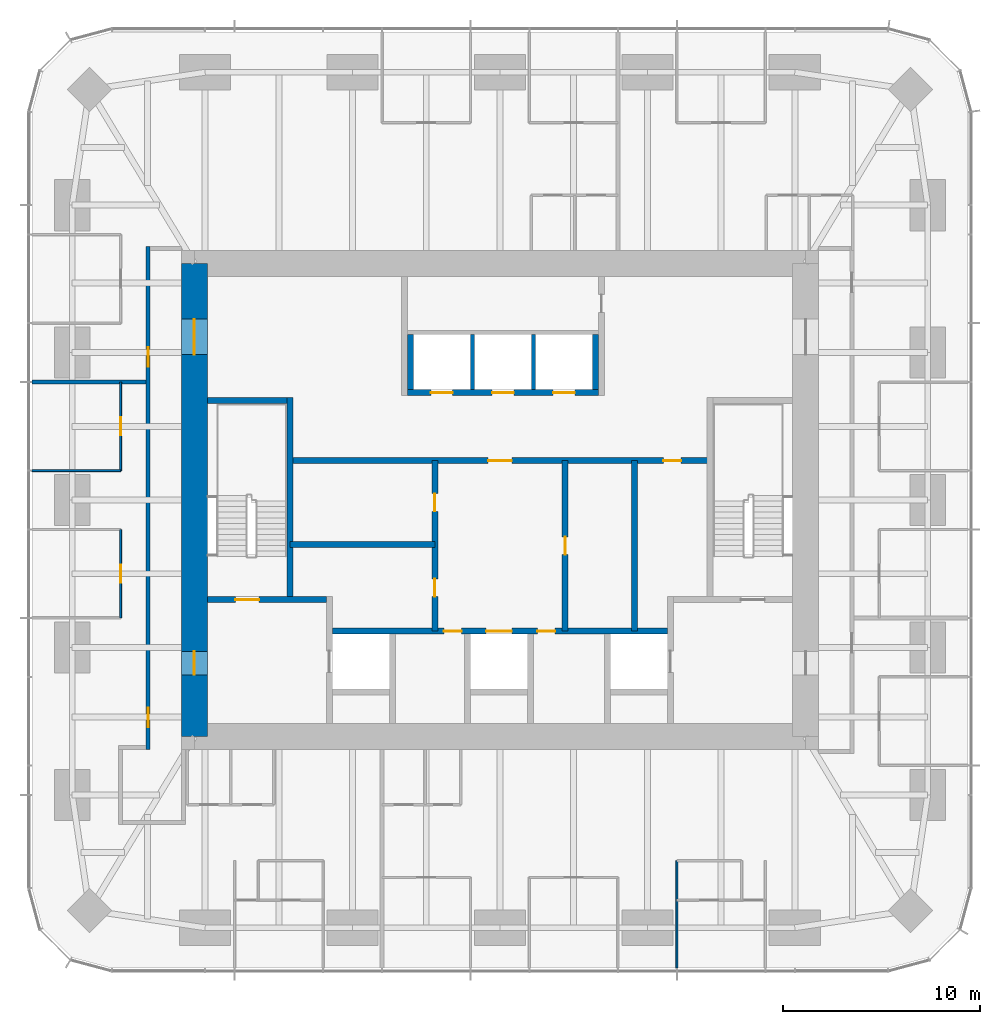
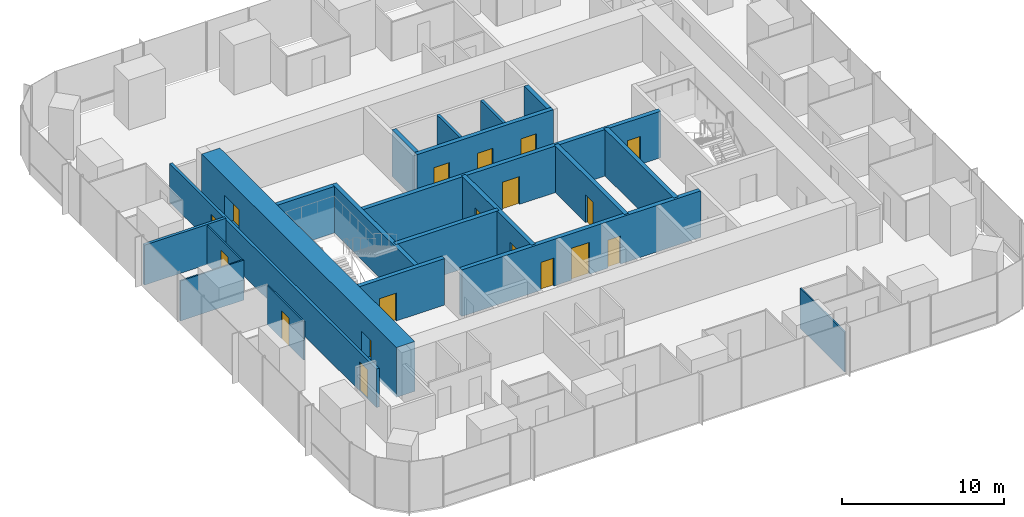
# One storey, part 9 of 12: 21 walls, 18 doors, 18 openings.
"""IFC4 building model written with IfcOpenShell, lengths in metres."""

from ifc_helpers import new_model, si_unit, direction, frame, frame_2d, origin, place, context, subcontext, project, spatial, rectangle, extrude, material, layer, layer_set, type_object, element, fill, save


model = new_model("IFC4")

# Units and contexts
model_context = context("Model", 3, precision=1e-05, world=origin(), true_north=direction((0.0, 1.0)))
body_context = subcontext(model_context, "Body", "Model", "MODEL_VIEW")
ifc_project = project(units=[si_unit("LENGTHUNIT", "METRE"), si_unit("AREAUNIT", "SQUARE_METRE"), si_unit("VOLUMEUNIT", "CUBIC_METRE"), si_unit("PLANEANGLEUNIT", "RADIAN"), si_unit("MASSUNIT", "GRAM", prefix="KILO")], contexts=[model_context])

# Site, building, storey
site_placement = place(None, origin())
site = spatial("IfcSite", under=ifc_project, at=site_placement, CompositionType="ELEMENT")
building_placement = place(site_placement, origin())
building = spatial("IfcBuilding", under=site, at=building_placement, Name="Khuree Lantern Residences", CompositionType="ELEMENT")
storey_placement = place(building_placement, frame((0.0, 0.0, 293.25)))
storey = spatial("IfcBuildingStorey", under=building, at=storey_placement, Name="L73", CompositionType="ELEMENT", Elevation=293.25)

# Wall, openings, doors
ifc_material_1 = material(Name="Dense concrete blockwork", Category="masonry")
ifc_layer_1 = layer(ifc_material_1, 0.300048828125)
ifc_layer_set_1 = layer_set([ifc_layer_1], Name="CORE PARTITION WALL CPW300 EI 120")
wall_type_1 = type_object("IfcWallType", Name="CORE PARTITION WALL CPW300 EI 120", PredefinedType="PARTITIONING", material=ifc_layer_set_1)
wall_1_placement = place(storey_placement, frame((-8.5, -6.64990234375, 0.0), z_axis=(0.0, 0.0, 1.0), x_axis=(1.0, 0.0, 0.0)))
wall_1 = element("IfcWall", 1, at=wall_1_placement, inside=storey, type_object=wall_type_1, Name="L73 CORE WALL FLROW", PredefinedType="PARTITIONING", context=body_context, shape_type="SweptSolid", body=[
    extrude(rectangle(XDim=17.0, YDim=0.300048828125, at=frame_2d((8.5, 0.0))), origin(), (0.0, 0.0, 1.0), 3.5),
])
opening_1_placement = place(wall_1_placement, frame((7.800048828125, 0.0, 0.0)))
opening_1 = element("IfcOpeningElement", 2, at=opening_1_placement, cuts=wall_1, Name="Opening 73-012", PredefinedType="OPENING", context=body_context, shape_type="SweptSolid", body=[
    extrude(rectangle(XDim=1.300048828125, YDim=2.39990234375, at=frame_2d((0.64990234375, 1.199951171875))), frame((0.0, 0.16015625, 0.0), z_axis=(0.0, -1.0, 0.0), x_axis=(1.0, 0.0, 0.0)), (0.0, 0.0, 1.0), 0.320068359375),
])
opening_2_placement = place(wall_1_placement, frame((5.64990234375, 0.0, 0.0)))
opening_2 = element("IfcOpeningElement", 3, at=opening_2_placement, cuts=wall_1, Name="Opening 73-014", PredefinedType="OPENING", context=body_context, shape_type="SweptSolid", body=[
    extrude(rectangle(XDim=0.89990234375, YDim=2.10009765625, at=frame_2d((0.449951171875, 1.050048828125))), frame((0.0, 0.16015625, 0.0), z_axis=(0.0, -1.0, 0.0), x_axis=(1.0, 0.0, 0.0)), (0.0, 0.0, 1.0), 0.320068359375),
])
opening_3_placement = place(wall_1_placement, frame((10.39990234375, 0.0, 0.0)))
opening_3 = element("IfcOpeningElement", 4, at=opening_3_placement, cuts=wall_1, Name="Opening 73-015", PredefinedType="OPENING", context=body_context, shape_type="SweptSolid", body=[
    extrude(rectangle(XDim=0.89990234375, YDim=2.10009765625, at=frame_2d((0.449951171875, 1.050048828125))), frame((0.0, 0.16015625, 0.0), z_axis=(0.0, -1.0, 0.0), x_axis=(1.0, 0.0, 0.0)), (0.0, 0.0, 1.0), 0.320068359375),
])
ifc_material_2 = material(Name="Steel door leaf in steel frame", Category="steel")
door_type_1 = type_object("IfcDoorType", Name="DOOR 900X2100 EI 60", OperationType="SINGLE_SWING_LEFT", PredefinedType="DOOR", material=ifc_material_2)
door_1_placement = place(opening_2_placement, origin())
door_1 = element("IfcDoor", 5, at=door_1_placement, inside=storey, type_object=door_type_1, Name="Refuse chute room door 73-014", OperationType="SINGLE_SWING_LEFT", OverallHeight=2.10009765625, OverallWidth=0.89990234375, PredefinedType="DOOR", context=body_context, shape_type="SweptSolid", body=[
    extrude(rectangle(XDim=0.89990234375, YDim=2.10009765625, at=frame_2d((0.449951171875, 1.050048828125))), frame((0.0, 0.02490234375, 0.0), z_axis=(0.0, -1.0, 0.0), x_axis=(1.0, 0.0, 0.0)), (0.0, 0.0, 1.0), 0.050048828125),
])
fill(opening_2, door_1)
door_type_2 = type_object("IfcDoorType", Name="DOOR 900X2100 EI 60 RIGHT HAND", OperationType="SINGLE_SWING_RIGHT", PredefinedType="DOOR", material=ifc_material_2)
door_2_placement = place(opening_3_placement, origin())
door_2 = element("IfcDoor", 6, at=door_2_placement, inside=storey, type_object=door_type_2, Name="Electrical and plumbing riser door 73-015", OperationType="SINGLE_SWING_RIGHT", OverallHeight=2.10009765625, OverallWidth=0.89990234375, PredefinedType="DOOR", context=body_context, shape_type="SweptSolid", body=[
    extrude(rectangle(XDim=0.89990234375, YDim=2.10009765625, at=frame_2d((0.449951171875, 1.050048828125))), frame((0.0, 0.02490234375, 0.0), z_axis=(0.0, -1.0, 0.0), x_axis=(1.0, 0.0, 0.0)), (0.0, 0.0, 1.0), 0.050048828125),
])
fill(opening_3, door_2)
ifc_material_3 = material(Name="Stainless steel lift landing door", Category="steel")
door_type_3 = type_object("IfcDoorType", Name="LIFT LANDING DOOR 1300X2400 E 60", OperationType="DOUBLE_DOOR_SLIDING", PredefinedType="DOOR", material=ifc_material_3)
door_3_placement = place(opening_1_placement, origin())
door_3 = element("IfcDoor", 7, at=door_3_placement, inside=storey, type_object=door_type_3, Name="Landing door SL1 73-012", OperationType="DOUBLE_DOOR_SLIDING", OverallHeight=2.39990234375, OverallWidth=1.300048828125, PredefinedType="DOOR", context=body_context, shape_type="SweptSolid", body=[
    extrude(rectangle(XDim=1.300048828125, YDim=2.39990234375, at=frame_2d((0.64990234375, 1.199951171875))), frame((0.0, 0.02490234375, 0.0), z_axis=(0.0, -1.0, 0.0), x_axis=(1.0, 0.0, 0.0)), (0.0, 0.0, 1.0), 0.050048828125),
])
fill(opening_1, door_3)

wall_2_placement = place(storey_placement, frame((-4.699951171875, 5.449951171875, 0.0), z_axis=(0.0, 0.0, 1.0), x_axis=(1.0, 0.0, 0.0)))
wall_2 = element("IfcWall", 8, at=wall_2_placement, inside=storey, type_object=wall_type_1, Name="L73 CORE WALL PHS", PredefinedType="PARTITIONING", context=body_context, shape_type="SweptSolid", body=[
    extrude(rectangle(XDim=9.699951171875, YDim=0.300048828125, at=frame_2d((4.85009765625, 0.0))), origin(), (0.0, 0.0, 1.0), 3.5),
])
opening_4_placement = place(wall_2_placement, frame((1.199951171875, 0.0, 0.0)))
opening_4 = element("IfcOpeningElement", 9, at=opening_4_placement, cuts=wall_2, Name="Opening 73-009", PredefinedType="OPENING", context=body_context, shape_type="SweptSolid", body=[
    extrude(rectangle(XDim=1.10009765625, YDim=2.10009765625, at=frame_2d((0.550048828125, 1.050048828125))), frame((0.0, 0.16015625, 0.0), z_axis=(0.0, -1.0, 0.0), x_axis=(1.0, 0.0, 0.0)), (0.0, 0.0, 1.0), 0.320068359375),
])
opening_5_placement = place(wall_2_placement, frame((4.300048828125, 0.0, 0.0)))
opening_5 = element("IfcOpeningElement", 10, at=opening_5_placement, cuts=wall_2, Name="Opening 73-010", PredefinedType="OPENING", context=body_context, shape_type="SweptSolid", body=[
    extrude(rectangle(XDim=1.10009765625, YDim=2.10009765625, at=frame_2d((0.550048828125, 1.050048828125))), frame((0.0, 0.16015625, 0.0), z_axis=(0.0, -1.0, 0.0), x_axis=(1.0, 0.0, 0.0)), (0.0, 0.0, 1.0), 0.320068359375),
])
opening_6_placement = place(wall_2_placement, frame((7.39990234375, 0.0, 0.0)))
opening_6 = element("IfcOpeningElement", 11, at=opening_6_placement, cuts=wall_2, Name="Opening 73-011", PredefinedType="OPENING", context=body_context, shape_type="SweptSolid", body=[
    extrude(rectangle(XDim=1.10009765625, YDim=2.10009765625, at=frame_2d((0.550048828125, 1.050048828125))), frame((0.0, 0.16015625, 0.0), z_axis=(0.0, -1.0, 0.0), x_axis=(1.0, 0.0, 0.0)), (0.0, 0.0, 1.0), 0.320068359375),
])
door_type_4 = type_object("IfcDoorType", Name="LIFT LANDING DOOR 1100X2100 E 60", OperationType="DOUBLE_DOOR_SLIDING", PredefinedType="DOOR", material=ifc_material_3)
door_4_placement = place(opening_4_placement, origin())
door_4 = element("IfcDoor", 12, at=door_4_placement, inside=storey, type_object=door_type_4, Name="Landing door PH1 73-009", OperationType="DOUBLE_DOOR_SLIDING", OverallHeight=2.10009765625, OverallWidth=1.10009765625, PredefinedType="DOOR", context=body_context, shape_type="SweptSolid", body=[
    extrude(rectangle(XDim=1.10009765625, YDim=2.10009765625, at=frame_2d((0.550048828125, 1.050048828125))), frame((0.0, 0.02490234375, 0.0), z_axis=(0.0, -1.0, 0.0), x_axis=(1.0, 0.0, 0.0)), (0.0, 0.0, 1.0), 0.050048828125),
])
fill(opening_4, door_4)
door_5_placement = place(opening_5_placement, origin())
door_5 = element("IfcDoor", 13, at=door_5_placement, inside=storey, type_object=door_type_4, Name="Landing door PH2 73-010", OperationType="DOUBLE_DOOR_SLIDING", OverallHeight=2.10009765625, OverallWidth=1.10009765625, PredefinedType="DOOR", context=body_context, shape_type="SweptSolid", body=[
    extrude(rectangle(XDim=1.10009765625, YDim=2.10009765625, at=frame_2d((0.550048828125, 1.050048828125))), frame((0.0, 0.02490234375, 0.0), z_axis=(0.0, -1.0, 0.0), x_axis=(1.0, 0.0, 0.0)), (0.0, 0.0, 1.0), 0.050048828125),
])
fill(opening_5, door_5)
door_6_placement = place(opening_6_placement, origin())
door_6 = element("IfcDoor", 14, at=door_6_placement, inside=storey, type_object=door_type_4, Name="Landing door PH3 73-011", OperationType="DOUBLE_DOOR_SLIDING", OverallHeight=2.10009765625, OverallWidth=1.10009765625, PredefinedType="DOOR", context=body_context, shape_type="SweptSolid", body=[
    extrude(rectangle(XDim=1.10009765625, YDim=2.10009765625, at=frame_2d((0.550048828125, 1.050048828125))), frame((0.0, 0.02490234375, 0.0), z_axis=(0.0, -1.0, 0.0), x_axis=(1.0, 0.0, 0.0)), (0.0, 0.0, 1.0), 0.050048828125),
])
fill(opening_6, door_6)

# Walls
for number, where, z_axis, x_axis, name in (
    (15, (-4.550048828125, 5.60009765625, 0.0), (0.0, 0.0, 1.0), (0.0, 1.0, 0.0), "L73 CORE WALL PHW"),
    (16, (4.85009765625, 5.60009765625, 0.0), (0.0, 0.0, 1.0), (0.0, 1.0, 0.0), "L73 CORE WALL PHE"),
):
    element("IfcWall", number, at=place(storey_placement, frame(where, z_axis=z_axis, x_axis=x_axis)), inside=storey, type_object=wall_type_1, Name=name, PredefinedType="PARTITIONING", context=body_context, shape_type="SweptSolid", body=[
        extrude(rectangle(XDim=2.7998046875, YDim=0.300048828125, at=frame_2d((1.39990234375, 0.0))), origin(), (0.0, 0.0, 1.0), 3.5),
    ])

# Wall, openings, doors
wall_3_placement = place(storey_placement, frame((-10.64990234375, 2.0, 0.0), z_axis=(0.0, 0.0, 1.0), x_axis=(1.0, 0.0, 0.0)))
wall_3 = element("IfcWall", 17, at=wall_3_placement, inside=storey, type_object=wall_type_1, Name="L73 CORE WALL LLS", PredefinedType="PARTITIONING", context=body_context, shape_type="SweptSolid", body=[
    extrude(rectangle(XDim=21.2998046875, YDim=0.300048828125, at=frame_2d((10.64990234375, 0.0))), origin(), (0.0, 0.0, 1.0), 3.5),
])
opening_7_placement = place(wall_3_placement, frame((10.050048828125, 0.0, 0.0)))
opening_7 = element("IfcOpeningElement", 18, at=opening_7_placement, cuts=wall_3, Name="Opening 73-013", PredefinedType="OPENING", context=body_context, shape_type="SweptSolid", body=[
    extrude(rectangle(XDim=1.199951171875, YDim=2.10009765625, at=frame_2d((0.60009765625, 1.050048828125))), frame((0.0, 0.16015625, 0.0), z_axis=(0.0, -1.0, 0.0), x_axis=(1.0, 0.0, 0.0)), (0.0, 0.0, 1.0), 0.320068359375),
])
opening_8_placement = place(wall_3_placement, frame((18.94189453125, 0.0, 0.0)))
opening_8 = element("IfcOpeningElement", 19, at=opening_8_placement, cuts=wall_3, Name="Opening 73-019", PredefinedType="OPENING", context=body_context, shape_type="SweptSolid", body=[
    extrude(rectangle(XDim=0.89990234375, YDim=2.10009765625, at=frame_2d((0.449951171875, 1.050048828125))), frame((0.0, 0.16015625, 0.0), z_axis=(0.0, -1.0, 0.0), x_axis=(1.0, 0.0, 0.0)), (0.0, 0.0, 1.0), 0.320068359375),
])
door_type_5 = type_object("IfcDoorType", Name="DOOR 1200X2100 EI 60", OperationType="SINGLE_SWING_LEFT", PredefinedType="DOOR", material=ifc_material_2)
door_7_placement = place(opening_7_placement, origin())
door_7 = element("IfcDoor", 20, at=door_7_placement, inside=storey, type_object=door_type_5, Name="Service lift lobby door 73-013", OperationType="SINGLE_SWING_LEFT", OverallHeight=2.10009765625, OverallWidth=1.199951171875, PredefinedType="DOOR", context=body_context, shape_type="SweptSolid", body=[
    extrude(rectangle(XDim=1.199951171875, YDim=2.10009765625, at=frame_2d((0.60009765625, 1.050048828125))), frame((0.0, 0.02490234375, 0.0), z_axis=(0.0, -1.0, 0.0), x_axis=(1.0, 0.0, 0.0)), (0.0, 0.0, 1.0), 0.050048828125),
])
fill(opening_7, door_7)
ifc_material_4 = material(Name="Timber door leaf in hardwood frame", Category="wood")
door_type_6 = type_object("IfcDoorType", Name="DOOR 900X2100 RIGHT HAND", OperationType="SINGLE_SWING_RIGHT", PredefinedType="DOOR", material=ifc_material_4)
door_8_placement = place(opening_8_placement, origin())
door_8 = element("IfcDoor", 21, at=door_8_placement, inside=storey, type_object=door_type_6, Name="Residents' store door 73-019", OperationType="SINGLE_SWING_RIGHT", OverallHeight=2.10009765625, OverallWidth=0.89990234375, PredefinedType="DOOR", context=body_context, shape_type="SweptSolid", body=[
    extrude(rectangle(XDim=0.89990234375, YDim=2.10009765625, at=frame_2d((0.449951171875, 1.050048828125))), frame((0.0, 0.02490234375, 0.0), z_axis=(0.0, -1.0, 0.0), x_axis=(1.0, 0.0, 0.0)), (0.0, 0.0, 1.0), 0.050048828125),
])
fill(opening_8, door_8)

wall_4_placement = place(storey_placement, frame((-3.300048828125, -6.64990234375, 0.0), z_axis=(0.0, 0.0, 1.0), x_axis=(0.0, 1.0, 0.0)))
wall_4 = element("IfcWall", 22, at=wall_4_placement, inside=storey, type_object=wall_type_1, Name="L73 CORE WALL SVW", PredefinedType="PARTITIONING", context=body_context, shape_type="SweptSolid", body=[
    extrude(rectangle(XDim=8.64990234375, YDim=0.300048828125, at=frame_2d((4.324951171875, 0.0))), origin(), (0.0, 0.0, 1.0), 3.5),
])
opening_9_placement = place(wall_4_placement, frame((1.75, 0.0, 0.0)))
opening_9 = element("IfcOpeningElement", 23, at=opening_9_placement, cuts=wall_4, Name="Opening 73-016", PredefinedType="OPENING", context=body_context, shape_type="SweptSolid", body=[
    extrude(rectangle(XDim=0.89990234375, YDim=2.10009765625, at=frame_2d((0.449951171875, 1.050048828125))), frame((0.0, 0.16015625, 0.0), z_axis=(0.0, -1.0, 0.0), x_axis=(1.0, 0.0, 0.0)), (0.0, 0.0, 1.0), 0.320068359375),
])
opening_10_placement = place(wall_4_placement, frame((6.074951171875, 0.0, 0.0)))
opening_10 = element("IfcOpeningElement", 24, at=opening_10_placement, cuts=wall_4, Name="Opening 73-017", PredefinedType="OPENING", context=body_context, shape_type="SweptSolid", body=[
    extrude(rectangle(XDim=0.89990234375, YDim=2.10009765625, at=frame_2d((0.449951171875, 1.050048828125))), frame((0.0, 0.16015625, 0.0), z_axis=(0.0, -1.0, 0.0), x_axis=(1.0, 0.0, 0.0)), (0.0, 0.0, 1.0), 0.320068359375),
])
door_type_7 = type_object("IfcDoorType", Name="DOOR 900X2100", OperationType="SINGLE_SWING_LEFT", PredefinedType="DOOR", material=ifc_material_4)
door_9_placement = place(opening_9_placement, origin())
door_9 = element("IfcDoor", 25, at=door_9_placement, inside=storey, type_object=door_type_7, Name="Residents' store door 73-016", OperationType="SINGLE_SWING_LEFT", OverallHeight=2.10009765625, OverallWidth=0.89990234375, PredefinedType="DOOR", context=body_context, shape_type="SweptSolid", body=[
    extrude(rectangle(XDim=0.89990234375, YDim=2.10009765625, at=frame_2d((0.449951171875, 1.050048828125))), frame((0.0, 0.02490234375, 0.0), z_axis=(0.0, -1.0, 0.0), x_axis=(1.0, 0.0, 0.0)), (0.0, 0.0, 1.0), 0.050048828125),
])
fill(opening_9, door_9)
door_10_placement = place(opening_10_placement, origin())
door_10 = element("IfcDoor", 26, at=door_10_placement, inside=storey, type_object=door_type_7, Name="Residents' store door 73-017", OperationType="SINGLE_SWING_LEFT", OverallHeight=2.10009765625, OverallWidth=0.89990234375, PredefinedType="DOOR", context=body_context, shape_type="SweptSolid", body=[
    extrude(rectangle(XDim=0.89990234375, YDim=2.10009765625, at=frame_2d((0.449951171875, 1.050048828125))), frame((0.0, 0.02490234375, 0.0), z_axis=(0.0, -1.0, 0.0), x_axis=(1.0, 0.0, 0.0)), (0.0, 0.0, 1.0), 0.050048828125),
])
fill(opening_10, door_10)

# Wall, opening, door
wall_5_placement = place(storey_placement, frame((3.300048828125, -6.64990234375, 0.0), z_axis=(0.0, 0.0, 1.0), x_axis=(0.0, 1.0, 0.0)))
wall_5 = element("IfcWall", 27, at=wall_5_placement, inside=storey, type_object=wall_type_1, Name="L73 CORE WALL SVE", PredefinedType="PARTITIONING", context=body_context, shape_type="SweptSolid", body=[
    extrude(rectangle(XDim=8.64990234375, YDim=0.300048828125, at=frame_2d((4.324951171875, 0.0))), origin(), (0.0, 0.0, 1.0), 3.5),
])
opening_11_placement = place(wall_5_placement, frame((3.875, 0.0, 0.0)))
opening_11 = element("IfcOpeningElement", 28, at=opening_11_placement, cuts=wall_5, Name="Opening 73-018", PredefinedType="OPENING", context=body_context, shape_type="SweptSolid", body=[
    extrude(rectangle(XDim=0.89990234375, YDim=2.10009765625, at=frame_2d((0.449951171875, 1.050048828125))), frame((0.0, 0.16015625, 0.0), z_axis=(0.0, -1.0, 0.0), x_axis=(1.0, 0.0, 0.0)), (0.0, 0.0, 1.0), 0.320068359375),
])
door_11_placement = place(opening_11_placement, origin())
door_11 = element("IfcDoor", 29, at=door_11_placement, inside=storey, type_object=door_type_7, Name="Residents' store door 73-018", OperationType="SINGLE_SWING_LEFT", OverallHeight=2.10009765625, OverallWidth=0.89990234375, PredefinedType="DOOR", context=body_context, shape_type="SweptSolid", body=[
    extrude(rectangle(XDim=0.89990234375, YDim=2.10009765625, at=frame_2d((0.449951171875, 1.050048828125))), frame((0.0, 0.02490234375, 0.0), z_axis=(0.0, -1.0, 0.0), x_axis=(1.0, 0.0, 0.0)), (0.0, 0.0, 1.0), 0.050048828125),
])
fill(opening_11, door_11)

# Walls
wall_6_placement = place(storey_placement, frame((-10.64990234375, -2.25, 0.0), z_axis=(0.0, 0.0, 1.0), x_axis=(1.0, 0.0, 0.0)))
element("IfcWall", 30, at=wall_6_placement, inside=storey, type_object=wall_type_1, Name="L73 CORE WALL WX", PredefinedType="PARTITIONING", context=body_context, shape_type="SweptSolid", body=[
    extrude(rectangle(XDim=7.349853515625, YDim=0.300048828125, at=frame_2d((3.6748046875, 0.0))), origin(), (0.0, 0.0, 1.0), 3.5),
])
wall_7_placement = place(storey_placement, frame((6.833984375, -6.64990234375, 0.0), z_axis=(0.0, 0.0, 1.0), x_axis=(0.0, 1.0, 0.0)))
element("IfcWall", 31, at=wall_7_placement, inside=storey, type_object=wall_type_1, Name="L73 CORE WALL EV", PredefinedType="PARTITIONING", context=body_context, shape_type="SweptSolid", body=[
    extrude(rectangle(XDim=8.64990234375, YDim=0.300048828125, at=frame_2d((4.324951171875, 0.0))), origin(), (0.0, 0.0, 1.0), 3.5),
])

# Wall, openings, doors
ifc_material_5 = material(Name="Gypsum board on steel studs", Category="steel")
ifc_layer_2 = layer(ifc_material_5, 0.199951171875)
ifc_layer_set_2 = layer_set([ifc_layer_2], Name="CORRIDOR WALL CRW200 EI 60")
wall_type_2 = type_object("IfcWallType", Name="CORRIDOR WALL CRW200 EI 60", PredefinedType="PARTITIONING", material=ifc_layer_set_2)
wall_8_placement = place(storey_placement, frame((-17.85009765625, 12.85009765625, 0.0), z_axis=(0.0, 0.0, 1.0), x_axis=(0.0, -1.0, 0.0)))
wall_8 = element("IfcWall", 32, at=wall_8_placement, inside=storey, type_object=wall_type_2, Name="L73 CORRIDOR WALL WEST 1", PredefinedType="PARTITIONING", context=body_context, shape_type="SweptSolid", body=[
    extrude(rectangle(XDim=25.5, YDim=0.199951171875, at=frame_2d((12.75, 0.0))), origin(), (0.0, 0.0, 1.0), 2.89990234375),
])
opening_12_placement = place(wall_8_placement, frame((5.10009765625, 0.0, 0.0)))
opening_12 = element("IfcOpeningElement", 33, at=opening_12_placement, cuts=wall_8, Name="Opening 73-032", PredefinedType="OPENING", context=body_context, shape_type="SweptSolid", body=[
    extrude(rectangle(XDim=1.0, YDim=2.199951171875, at=frame_2d((0.5, 1.10009765625))), frame((0.0, 0.10986328125, 0.0), z_axis=(0.0, -1.0, 0.0), x_axis=(1.0, 0.0, 0.0)), (0.0, 0.0, 1.0), 0.219970703125),
])
opening_13_placement = place(wall_8_placement, frame((23.385986328125, 0.0, 0.0)))
opening_13 = element("IfcOpeningElement", 34, at=opening_13_placement, cuts=wall_8, Name="Opening 73-039", PredefinedType="OPENING", context=body_context, shape_type="SweptSolid", body=[
    extrude(rectangle(XDim=1.0, YDim=2.199951171875, at=frame_2d((0.5, 1.10009765625))), frame((0.0, 0.10986328125, 0.0), z_axis=(0.0, -1.0, 0.0), x_axis=(1.0, 0.0, 0.0)), (0.0, 0.0, 1.0), 0.219970703125),
])
door_type_8 = type_object("IfcDoorType", Name="APARTMENT ENTRANCE DOOR 1000X2200 EI 30S", OperationType="SINGLE_SWING_LEFT", PredefinedType="DOOR", material=ifc_material_4)
door_12_placement = place(opening_12_placement, origin())
door_12 = element("IfcDoor", 35, at=door_12_placement, inside=storey, type_object=door_type_8, Name="Apartment 02 entrance door 73-032", OperationType="SINGLE_SWING_LEFT", OverallHeight=2.199951171875, OverallWidth=1.0, PredefinedType="DOOR", context=body_context, shape_type="SweptSolid", body=[
    extrude(rectangle(XDim=1.0, YDim=2.199951171875, at=frame_2d((0.5, 1.10009765625))), frame((0.0, 0.02490234375, 0.0), z_axis=(0.0, -1.0, 0.0), x_axis=(1.0, 0.0, 0.0)), (0.0, 0.0, 1.0), 0.050048828125),
])
fill(opening_12, door_12)
door_13_placement = place(opening_13_placement, origin())
door_13 = element("IfcDoor", 36, at=door_13_placement, inside=storey, type_object=door_type_8, Name="Apartment 03 entrance door 73-039", OperationType="SINGLE_SWING_LEFT", OverallHeight=2.199951171875, OverallWidth=1.0, PredefinedType="DOOR", context=body_context, shape_type="SweptSolid", body=[
    extrude(rectangle(XDim=1.0, YDim=2.199951171875, at=frame_2d((0.5, 1.10009765625))), frame((0.0, 0.02490234375, 0.0), z_axis=(0.0, -1.0, 0.0), x_axis=(1.0, 0.0, 0.0)), (0.0, 0.0, 1.0), 0.050048828125),
])
fill(opening_13, door_13)

ifc_material_6 = material(Name="Concrete C50/60", Category="concrete")
ifc_layer_3 = layer(ifc_material_6, 1.300048828125)
ifc_layer_set_3 = layer_set([ifc_layer_3], Name="CW1300-C50 CORE WALL C50 1300")
wall_type_3 = type_object("IfcWallType", Name="CW1300-C50 CORE WALL C50 1300", PredefinedType="SHEAR", material=ifc_layer_set_3)
wall_9_placement = place(storey_placement, frame((-15.5, -12.0, -0.25), z_axis=(0.0, 0.0, 1.0), x_axis=(0.0, 1.0, 0.0)))
wall_9 = element("IfcWall", 37, at=wall_9_placement, inside=storey, type_object=wall_type_3, Name="Core wall W", PredefinedType="SHEAR", context=body_context, shape_type="SweptSolid", body=[
    extrude(rectangle(XDim=24.0, YDim=1.300048828125, at=frame_2d((12.0, 0.0))), origin(), (0.0, 0.0, 1.0), 3.75),
])
opening_14_placement = place(wall_9_placement, frame((3.125, 0.0, 0.25)))
opening_14 = element("IfcOpeningElement", 38, at=opening_14_placement, cuts=wall_9, Name="Opening 73-002", PredefinedType="OPENING", context=body_context, shape_type="SweptSolid", body=[
    extrude(rectangle(XDim=1.199951171875, YDim=2.10009765625, at=frame_2d((0.60009765625, 1.050048828125))), frame((0.0, 0.66015625, 0.0), z_axis=(0.0, -1.0, 0.0), x_axis=(1.0, 0.0, 0.0)), (0.0, 0.0, 1.0), 1.320068359375),
])
opening_15_placement = place(wall_9_placement, frame((19.375, 0.0, 0.25)))
opening_15 = element("IfcOpeningElement", 39, at=opening_15_placement, cuts=wall_9, Name="Opening 73-003", PredefinedType="OPENING", context=body_context, shape_type="SweptSolid", body=[
    extrude(rectangle(XDim=1.800048828125, YDim=2.10009765625, at=frame_2d((0.89990234375, 1.050048828125))), frame((0.0, 0.66015625, 0.0), z_axis=(0.0, -1.0, 0.0), x_axis=(1.0, 0.0, 0.0)), (0.0, 0.0, 1.0), 1.320068359375),
])
door_type_9 = type_object("IfcDoorType", Name="LOBBY DOOR 1200X2100 EI 120", OperationType="SINGLE_SWING_LEFT", PredefinedType="DOOR", material=ifc_material_2)
door_14_placement = place(opening_14_placement, origin())
door_14 = element("IfcDoor", 40, at=door_14_placement, inside=storey, type_object=door_type_9, Name="Firefighting lobby door 73-002", OperationType="SINGLE_SWING_LEFT", OverallHeight=2.10009765625, OverallWidth=1.199951171875, PredefinedType="DOOR", context=body_context, shape_type="SweptSolid", body=[
    extrude(rectangle(XDim=1.199951171875, YDim=2.10009765625, at=frame_2d((0.60009765625, 1.050048828125))), frame((0.0, 0.02490234375, 0.0), z_axis=(0.0, -1.0, 0.0), x_axis=(1.0, 0.0, 0.0)), (0.0, 0.0, 1.0), 0.050048828125),
])
fill(opening_14, door_14)
door_type_10 = type_object("IfcDoorType", Name="LOBBY DOUBLE DOOR 1800X2100 EI 60", OperationType="DOUBLE_DOOR_SINGLE_SWING", PredefinedType="DOOR", material=ifc_material_2)
door_15_placement = place(opening_15_placement, origin())
door_15 = element("IfcDoor", 41, at=door_15_placement, inside=storey, type_object=door_type_10, Name="Lift lobby door 73-003", OperationType="DOUBLE_DOOR_SINGLE_SWING", OverallHeight=2.10009765625, OverallWidth=1.800048828125, PredefinedType="DOOR", context=body_context, shape_type="SweptSolid", body=[
    extrude(rectangle(XDim=1.800048828125, YDim=2.10009765625, at=frame_2d((0.89990234375, 1.050048828125))), frame((0.0, 0.02490234375, 0.0), z_axis=(0.0, -1.0, 0.0), x_axis=(1.0, 0.0, 0.0)), (0.0, 0.0, 1.0), 0.050048828125),
])
fill(opening_15, door_15)

# Walls
ifc_layer_4 = layer(ifc_material_5, 0.199951171875)
ifc_layer_set_4 = layer_set([ifc_layer_4], Name="DEMISING WALL DMW200 EI 90")
wall_type_4 = type_object("IfcWallType", Name="DEMISING WALL DMW200 EI 90", PredefinedType="PARTITIONING", material=ifc_layer_set_4)
wall_10_placement = place(storey_placement, frame((-17.949951171875, 5.98388671875, 0.0), z_axis=(0.0, 0.0, 1.0), x_axis=(-1.0, 0.0, 0.0)))
element("IfcWall", 42, at=wall_10_placement, inside=storey, type_object=wall_type_4, Name="L73 DEMISING WALL 03", PredefinedType="PARTITIONING", context=body_context, shape_type="SweptSolid", body=[
    extrude(rectangle(XDim=5.800048828125, YDim=0.199951171875, at=frame_2d((2.89990234375, 0.0))), origin(), (0.0, 0.0, 1.0), 3.010009765625),
])
ifc_layer_5 = layer(ifc_material_5, 0.10009765625)
ifc_layer_set_5 = layer_set([ifc_layer_5], Name="PARTITION PT100")
wall_type_5 = type_object("IfcWallType", Name="PARTITION PT100", PredefinedType="PARTITIONING", material=ifc_layer_set_5)
wall_11_placement = place(storey_placement, frame((-19.25, 1.49609375, 0.0), z_axis=(0.0, 0.0, 1.0), x_axis=(-1.0, 0.0, 0.0)))
element("IfcWall", 43, at=wall_11_placement, inside=storey, type_object=wall_type_5, Name="L73 PARTITION 03", PredefinedType="PARTITIONING", context=body_context, shape_type="SweptSolid", body=[
    extrude(rectangle(XDim=4.5, YDim=0.10009765625, at=frame_2d((2.25, 0.0))), origin(), (0.0, 0.0, 1.0), 3.010009765625),
])
wall_12_placement = place(storey_placement, frame((8.97607421875, -18.29638671875, 0.0), z_axis=(0.0, 0.0, 1.0), x_axis=(0.0, -1.0, 0.0)))
element("IfcWall", 44, at=wall_12_placement, inside=storey, type_object=wall_type_5, Name="L73 PARTITION 04", PredefinedType="PARTITIONING", context=body_context, shape_type="SweptSolid", body=[
    extrude(rectangle(XDim=5.45361328125, YDim=0.10009765625, at=frame_2d((2.726806640625, 0.0))), origin(), (0.0, 0.0, 1.0), 3.010009765625),
])

# Wall, opening, door
wall_13_placement = place(storey_placement, frame((-19.25, 5.98388671875, 0.0), z_axis=(0.0, 0.0, 1.0), x_axis=(0.0, -1.0, 0.0)))
wall_13 = element("IfcWall", 45, at=wall_13_placement, inside=storey, type_object=wall_type_5, Name="L73 PARTITION 03", PredefinedType="PARTITIONING", context=body_context, shape_type="SweptSolid", body=[
    extrude(rectangle(XDim=4.48779296875, YDim=0.10009765625, at=frame_2d((2.243896484375, 0.0))), origin(), (0.0, 0.0, 1.0), 2.909912109375),
])
opening_16_placement = place(wall_13_placement, frame((1.7939453125, 0.0, 0.0)))
opening_16 = element("IfcOpeningElement", 46, at=opening_16_placement, cuts=wall_13, Name="Opening 73-033", PredefinedType="OPENING", context=body_context, shape_type="SweptSolid", body=[
    extrude(rectangle(XDim=0.89990234375, YDim=2.10009765625, at=frame_2d((0.449951171875, 1.050048828125))), frame((0.0, 0.06005859375, 0.0), z_axis=(0.0, -1.0, 0.0), x_axis=(1.0, 0.0, 0.0)), (0.0, 0.0, 1.0), 0.1201171875),
])
door_type_11 = type_object("IfcDoorType", Name="BEDROOM DOOR 900X2100", OperationType="SINGLE_SWING_LEFT", PredefinedType="DOOR", material=ifc_material_4)
door_16_placement = place(opening_16_placement, origin())
door_16 = element("IfcDoor", 47, at=door_16_placement, inside=storey, type_object=door_type_11, Name="Bedroom door 73-033", OperationType="SINGLE_SWING_LEFT", OverallHeight=2.10009765625, OverallWidth=0.89990234375, PredefinedType="DOOR", context=body_context, shape_type="SweptSolid", body=[
    extrude(rectangle(XDim=0.89990234375, YDim=2.10009765625, at=frame_2d((0.449951171875, 1.050048828125))), frame((0.0, 0.02490234375, 0.0), z_axis=(0.0, -1.0, 0.0), x_axis=(1.0, 0.0, 0.0)), (0.0, 0.0, 1.0), 0.050048828125),
])
fill(opening_16, door_16)

wall_14_placement = place(storey_placement, frame((-19.25, -1.49609375, 0.0), z_axis=(0.0, 0.0, 1.0), x_axis=(0.0, -1.0, 0.0)))
wall_14 = element("IfcWall", 48, at=wall_14_placement, inside=storey, type_object=wall_type_5, Name="L73 PARTITION 03", PredefinedType="PARTITIONING", context=body_context, shape_type="SweptSolid", body=[
    extrude(rectangle(XDim=4.48779296875, YDim=0.10009765625, at=frame_2d((2.243896484375, 0.0))), origin(), (0.0, 0.0, 1.0), 2.909912109375),
])
opening_17_placement = place(wall_14_placement, frame((1.7939453125, 0.0, 0.0)))
opening_17 = element("IfcOpeningElement", 49, at=opening_17_placement, cuts=wall_14, Name="Opening 73-034", PredefinedType="OPENING", context=body_context, shape_type="SweptSolid", body=[
    extrude(rectangle(XDim=0.89990234375, YDim=2.10009765625, at=frame_2d((0.449951171875, 1.050048828125))), frame((0.0, 0.06005859375, 0.0), z_axis=(0.0, -1.0, 0.0), x_axis=(1.0, 0.0, 0.0)), (0.0, 0.0, 1.0), 0.1201171875),
])
door_17_placement = place(opening_17_placement, origin())
door_17 = element("IfcDoor", 50, at=door_17_placement, inside=storey, type_object=door_type_11, Name="Bedroom door 73-034", OperationType="SINGLE_SWING_LEFT", OverallHeight=2.10009765625, OverallWidth=0.89990234375, PredefinedType="DOOR", context=body_context, shape_type="SweptSolid", body=[
    extrude(rectangle(XDim=0.89990234375, YDim=2.10009765625, at=frame_2d((0.449951171875, 1.050048828125))), frame((0.0, 0.02490234375, 0.0), z_axis=(0.0, -1.0, 0.0), x_axis=(1.0, 0.0, 0.0)), (0.0, 0.0, 1.0), 0.050048828125),
])
fill(opening_17, door_17)

# Walls
ifc_layer_6 = layer(ifc_material_1, 0.199951171875)
ifc_layer_set_6 = layer_set([ifc_layer_6], Name="SHAFT WALL SHW200 EI 120")
wall_type_6 = type_object("IfcWallType", Name="SHAFT WALL SHW200 EI 120", PredefinedType="PARTITIONING", material=ifc_layer_set_6)
for number, where, z_axis, x_axis, name in (
    (51, (-1.39990234375, 5.60009765625, 0.0), (0.0, 0.0, 1.0), (0.0, 1.0, 0.0), "L73 CORE WALL PHD1"),
    (52, (1.699951171875, 5.60009765625, 0.0), (0.0, 0.0, 1.0), (0.0, 1.0, 0.0), "L73 CORE WALL PHD2"),
):
    element("IfcWall", number, at=place(storey_placement, frame(where, z_axis=z_axis, x_axis=x_axis)), inside=storey, type_object=wall_type_6, Name=name, PredefinedType="PARTITIONING", context=body_context, shape_type="SweptSolid", body=[
        extrude(rectangle(XDim=2.7998046875, YDim=0.199951171875, at=frame_2d((1.39990234375, 0.0))), origin(), (0.0, 0.0, 1.0), 3.5),
    ])
ifc_layer_7 = layer(ifc_material_6, 0.300048828125)
ifc_layer_set_7 = layer_set([ifc_layer_7], Name="STAIR WALL SRW300 C50/60 REI 240")
wall_type_7 = type_object("IfcWallType", Name="STAIR WALL SRW300 C50/60 REI 240", PredefinedType="SOLIDWALL", material=ifc_layer_set_7)
wall_15_placement = place(storey_placement, frame((-10.64990234375, -4.89990234375, 0.0), z_axis=(0.0, 0.0, 1.0), x_axis=(0.0, 1.0, 0.0)))
element("IfcWall", 53, at=wall_15_placement, inside=storey, type_object=wall_type_7, Name="L73 STAIR WALL ST1E", PredefinedType="SOLIDWALL", context=body_context, shape_type="SweptSolid", body=[
    extrude(rectangle(XDim=10.099853515625, YDim=0.300048828125, at=frame_2d((5.0498046875, 0.0))), origin(), (0.0, 0.0, 1.0), 3.5),
])

# Wall, opening, door
wall_16_placement = place(storey_placement, frame((-14.85009765625, -5.050048828125, 0.0), z_axis=(0.0, 0.0, 1.0), x_axis=(1.0, 0.0, 0.0)))
wall_16 = element("IfcWall", 54, at=wall_16_placement, inside=storey, type_object=wall_type_7, Name="L73 STAIR WALL ST1S", PredefinedType="SOLIDWALL", context=body_context, shape_type="SweptSolid", body=[
    extrude(rectangle(XDim=6.050048828125, YDim=0.300048828125, at=frame_2d((3.02490234375, 0.0))), origin(), (0.0, 0.0, 1.0), 3.5),
])
opening_18_placement = place(wall_16_placement, frame((1.425048828125, 0.0, 0.0)))
opening_18 = element("IfcOpeningElement", 55, at=opening_18_placement, cuts=wall_16, Name="Opening 73-001", PredefinedType="OPENING", context=body_context, shape_type="SweptSolid", body=[
    extrude(rectangle(XDim=1.199951171875, YDim=2.10009765625, at=frame_2d((0.60009765625, 1.050048828125))), frame((0.0, 0.16015625, 0.0), z_axis=(0.0, -1.0, 0.0), x_axis=(1.0, 0.0, 0.0)), (0.0, 0.0, 1.0), 0.320068359375),
])
door_type_12 = type_object("IfcDoorType", Name="STAIR DOOR 1200X2100 EI 120", OperationType="SINGLE_SWING_LEFT", PredefinedType="DOOR", material=ifc_material_2)
door_18_placement = place(opening_18_placement, origin())
door_18 = element("IfcDoor", 56, at=door_18_placement, inside=storey, type_object=door_type_12, Name="Stair ST1 door 73-001", OperationType="SINGLE_SWING_LEFT", OverallHeight=2.10009765625, OverallWidth=1.199951171875, PredefinedType="DOOR", context=body_context, shape_type="SweptSolid", body=[
    extrude(rectangle(XDim=1.199951171875, YDim=2.10009765625, at=frame_2d((0.60009765625, 1.050048828125))), frame((0.0, 0.02490234375, 0.0), z_axis=(0.0, -1.0, 0.0), x_axis=(1.0, 0.0, 0.0)), (0.0, 0.0, 1.0), 0.050048828125),
])
fill(opening_18, door_18)

# Wall
wall_17_placement = place(storey_placement, frame((-14.85009765625, 5.050048828125, 0.0), z_axis=(0.0, 0.0, 1.0), x_axis=(1.0, 0.0, 0.0)))
element("IfcWall", 57, at=wall_17_placement, inside=storey, type_object=wall_type_7, Name="L73 STAIR WALL ST1N", PredefinedType="SOLIDWALL", context=body_context, shape_type="SweptSolid", body=[
    extrude(rectangle(XDim=4.050048828125, YDim=0.300048828125, at=frame_2d((2.02490234375, 0.0))), origin(), (0.0, 0.0, 1.0), 3.5),
])

save(model, "model.ifc")
